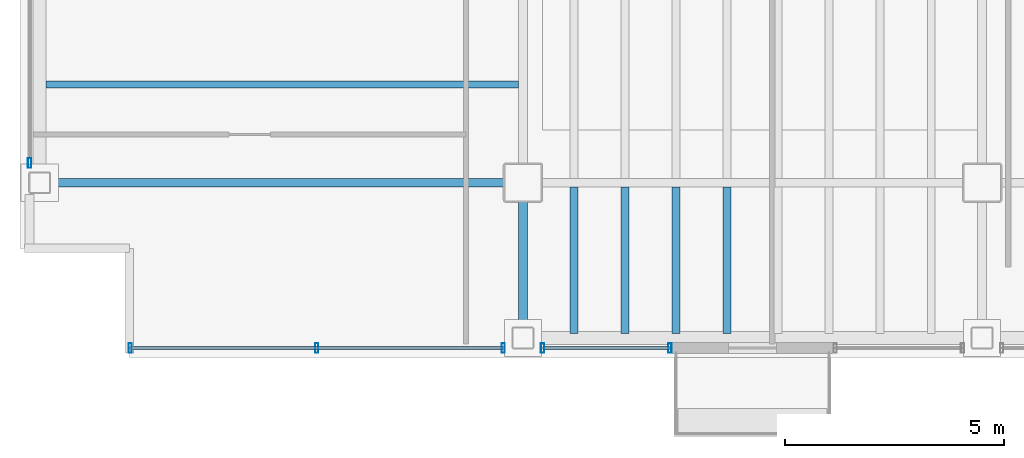
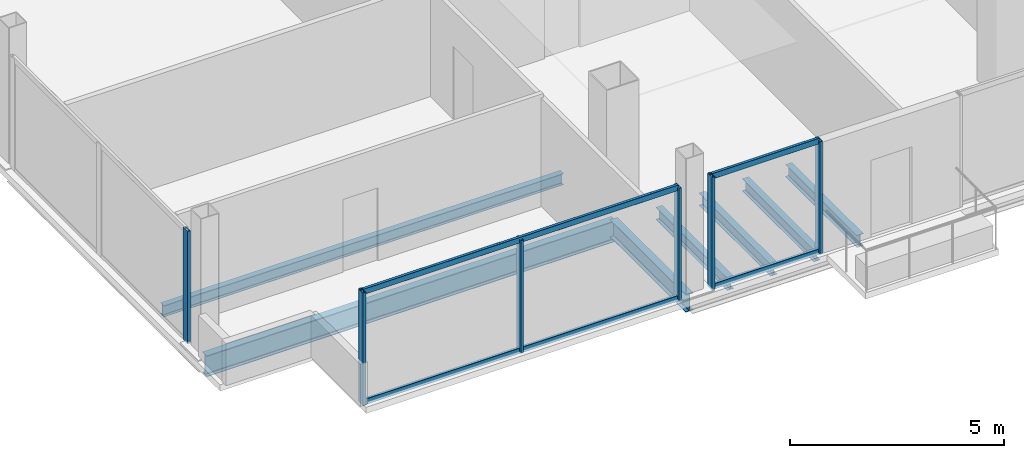
# One storey, part 2 of 18: 10 members, 7 beams, 3 elements without a shape of their own.
"""IFC4 building model written with IfcOpenShell, lengths in metres."""

from ifc_helpers import new_model, si_unit, direction, frame, origin, origin_2d, place, context, subcontext, project, spatial, hollow_rectangle, i_section, extrude, material, material_profile, profile_set, type_object, element, aggregate, save


model = new_model("IFC4")

# Units and contexts
model_context = context("Model", 3, precision=1e-05, world=origin(), true_north=direction((0.0, 1.0)))
body_context = subcontext(model_context, "Body", "Model", "MODEL_VIEW")
ifc_project = project(units=[si_unit("LENGTHUNIT", "METRE"), si_unit("AREAUNIT", "SQUARE_METRE"), si_unit("VOLUMEUNIT", "CUBIC_METRE"), si_unit("PLANEANGLEUNIT", "RADIAN"), si_unit("MASSUNIT", "GRAM", prefix="KILO")], contexts=[model_context])

# Site, building, storey
site_placement = place(None, origin())
site = spatial("IfcSite", under=ifc_project, at=site_placement, CompositionType="ELEMENT")
building_placement = place(site_placement, origin())
building = spatial("IfcBuilding", under=site, at=building_placement, Name="Noeulbin Bourse Tower", CompositionType="ELEMENT")
storey_placement = place(building_placement, frame((0.0, 0.0, 161.699951171875)))
storey = spatial("IfcBuildingStorey", under=building, at=storey_placement, Name="L40", CompositionType="ELEMENT", Elevation=161.699951171875)

# Beams
ifc_material_1 = material(Name="Steel S355", Category="steel")
ifc_material_profile_1 = material_profile(ifc_material_1, i_section(OverallWidth=0.199951171875, OverallDepth=0.5, WebThickness=0.010009765625, FlangeThickness=0.01611328125, FilletRadius=0.02001953125, at=origin_2d()), Name="H-500x200x10x16", Category="LoadBearing")
ifc_profile_set_1 = profile_set([ifc_material_profile_1], Name="Steel S355")
beam_type_1 = type_object("IfcBeamType", Name="BM-GRD-500", PredefinedType="USERDEFINED", material=ifc_profile_set_1)
beam_1_placement = place(storey_placement, frame((13.5, 16.449951171875, -0.429931640625), z_axis=(0.0, 1.0, 0.0), x_axis=(-1.0, 0.0, 0.0)))
element("IfcBeam", 1, at=beam_1_placement, inside=storey, type_object=beam_type_1, Name="Tower Primary Girder NS L40-1.1", ObjectType="GIRDER", PredefinedType="USERDEFINED", context=body_context, shape_type="SweptSolid", body=[
    extrude(i_section(OverallWidth=0.199951171875, OverallDepth=0.5, WebThickness=0.010009765625, FlangeThickness=0.01611328125, FilletRadius=0.02001953125, at=origin_2d()), origin(), (0.0, 0.0, 1.0), 3.550048828125),
])
ifc_material_profile_2 = material_profile(ifc_material_1, i_section(OverallWidth=0.199951171875, OverallDepth=0.60009765625, WebThickness=0.010986328125, FlangeThickness=0.01708984375, FilletRadius=0.02197265625, at=origin_2d()), Name="H-600x200x11x17", Category="LoadBearing")
ifc_profile_set_2 = profile_set([ifc_material_profile_2], Name="Steel S355")
beam_type_2 = type_object("IfcBeamType", Name="BM-GRD-600", PredefinedType="USERDEFINED", material=ifc_profile_set_2)
beam_2_placement = place(storey_placement, frame((2.449951171875, 20.0, -0.47998046875), z_axis=(1.0, 0.0, 0.0), x_axis=(0.0, 1.0, 0.0)))
element("IfcBeam", 2, at=beam_2_placement, inside=storey, type_object=beam_type_2, Name="Tower Primary Girder EW L40-1.1", ObjectType="GIRDER", PredefinedType="USERDEFINED", context=body_context, shape_type="SweptSolid", body=[
    extrude(i_section(OverallWidth=0.199951171875, OverallDepth=0.60009765625, WebThickness=0.010986328125, FlangeThickness=0.01708984375, FilletRadius=0.02197265625, at=origin_2d()), origin(), (0.0, 0.0, 1.0), 11.050048828125),
])
ifc_material_profile_3 = material_profile(ifc_material_1, i_section(OverallWidth=0.159912109375, OverallDepth=0.320068359375, WebThickness=0.006591796875, FlangeThickness=0.010009765625, FilletRadius=0.012939453125, at=origin_2d()), Name="H-320x160x6.5x10", Category="LoadBearing")
ifc_profile_set_3 = profile_set([ifc_material_profile_3], Name="Steel S355")
beam_type_3 = type_object("IfcBeamType", Name="BM-JST-320", PredefinedType="JOIST", material=ifc_profile_set_3)
beam_3_placement = place(storey_placement, frame((2.60009765625, 22.25, -0.33984375), z_axis=(1.0, 0.0, 0.0), x_axis=(0.0, 1.0, 0.0)))
element("IfcBeam", 3, at=beam_3_placement, inside=storey, type_object=beam_type_3, Name="Wing Composite Joist L40-W70", PredefinedType="JOIST", context=body_context, shape_type="SweptSolid", body=[
    extrude(i_section(OverallWidth=0.159912109375, OverallDepth=0.320068359375, WebThickness=0.006591796875, FlangeThickness=0.010009765625, FilletRadius=0.012939453125, at=origin_2d()), origin(), (0.0, 0.0, 1.0), 10.7998046875),
])
ifc_material_profile_4 = material_profile(ifc_material_1, i_section(OverallWidth=0.175048828125, OverallDepth=0.35009765625, WebThickness=0.007080078125, FlangeThickness=0.010986328125, FilletRadius=0.013916015625, at=origin_2d()), Name="H-350x175x7x11", Category="LoadBearing")
ifc_profile_set_4 = profile_set([ifc_material_profile_4], Name="Steel S355")
beam_type_4 = type_object("IfcBeamType", Name="BM-JST-350", PredefinedType="JOIST", material=ifc_profile_set_4)
for number, where, z_axis, x_axis, name in (
    (4, (14.666748046875, 16.550048828125, -0.35498046875), (0.0, 1.0, 0.0), (-1.0, 0.0, 0.0), "Tower Composite Joist L40-01"),
    (5, (15.833251953125, 16.550048828125, -0.35498046875), (0.0, 1.0, 0.0), (-1.0, 0.0, 0.0), "Tower Composite Joist L40-04"),
    (6, (17.0, 16.550048828125, -0.35498046875), (0.0, 1.0, 0.0), (-1.0, 0.0, 0.0), "Tower Composite Joist L40-07"),
    (7, (18.166748046875, 16.550048828125, -0.35498046875), (0.0, 1.0, 0.0), (-1.0, 0.0, 0.0), "Tower Composite Joist L40-10"),
):
    element("IfcBeam", number, at=place(storey_placement, frame(where, z_axis=z_axis, x_axis=x_axis)), inside=storey, type_object=beam_type_4, Name=name, PredefinedType="JOIST", context=body_context, shape_type="SweptSolid", body=[
        extrude(i_section(OverallWidth=0.175048828125, OverallDepth=0.35009765625, WebThickness=0.007080078125, FlangeThickness=0.010986328125, FilletRadius=0.013916015625, at=origin_2d()), origin(), (0.0, 0.0, 1.0), 3.349853515625),
    ])

# Curtain wall, members
ifc_material_2 = material(Name="Dark Tinted Triple Glazing", Category="glass")
curtain_wall_type = type_object("IfcCurtainWallType", Name="CW-SYS-3", PredefinedType="NOTDEFINED", material=ifc_material_2)
curtain_wall_1_placement = place(storey_placement, origin())
curtain_wall_1 = element("IfcCurtainWall", 8, at=curtain_wall_1_placement, inside=storey, type_object=curtain_wall_type, Name="Unitised Curtain Wall CW-L40-S1-S1", PredefinedType="NOTDEFINED")
ifc_material_3 = material(Name="Anodised Aluminium 6063-T6", Category="aluminium")
ifc_material_profile_5 = material_profile(ifc_material_3, hollow_rectangle(XDim=0.074951171875, YDim=0.219970703125, WallThickness=0.0048828125, InnerFilletRadius=0.00244140625, OuterFilletRadius=0.0048828125, at=origin_2d()), Name="ALU-MULL-75x220x5", Category="LoadBearing")
ifc_profile_set_5 = profile_set([ifc_material_profile_5], Name="Anodised Aluminium 6063-T6")
member_type_1 = type_object("IfcMemberType", Name="CW-SYS-3-MUL", PredefinedType="MULLION", material=ifc_profile_set_5)
member_1_placement = place(storey_placement, frame((4.52001953125, 16.219970703125, -0.02001953125), z_axis=(0.0, 0.0, 1.0), x_axis=(1.0, 0.0, 0.0)))
member_1 = element("IfcMember", 9, at=member_1_placement, type_object=member_type_1, Name="Curtain Wall Mullion CW-L40-S1-S1-M00", PredefinedType="MULLION", context=body_context, shape_type="SweptSolid", body=[
    extrude(hollow_rectangle(XDim=0.074951171875, YDim=0.219970703125, WallThickness=0.0048828125, InnerFilletRadius=0.00244140625, OuterFilletRadius=0.0048828125, at=origin_2d()), origin(), (0.0, 0.0, 1.0), 3.219970703125),
])
member_2_placement = place(storey_placement, frame((8.784912109375, 16.219970703125, -0.02001953125), z_axis=(0.0, 0.0, 1.0), x_axis=(1.0, 0.0, 0.0)))
member_2 = element("IfcMember", 10, at=member_2_placement, type_object=member_type_1, Name="Curtain Wall Mullion CW-L40-S1-S1-M01", PredefinedType="MULLION", context=body_context, shape_type="SweptSolid", body=[
    extrude(hollow_rectangle(XDim=0.074951171875, YDim=0.219970703125, WallThickness=0.0048828125, InnerFilletRadius=0.00244140625, OuterFilletRadius=0.0048828125, at=origin_2d()), origin(), (0.0, 0.0, 1.0), 3.219970703125),
])
member_3_placement = place(storey_placement, frame((13.050048828125, 16.219970703125, -0.02001953125), z_axis=(0.0, 0.0, 1.0), x_axis=(1.0, 0.0, 0.0)))
member_3 = element("IfcMember", 11, at=member_3_placement, type_object=member_type_1, Name="Curtain Wall Mullion CW-L40-S1-S1-M02", PredefinedType="MULLION", context=body_context, shape_type="SweptSolid", body=[
    extrude(hollow_rectangle(XDim=0.074951171875, YDim=0.219970703125, WallThickness=0.0048828125, InnerFilletRadius=0.00244140625, OuterFilletRadius=0.0048828125, at=origin_2d()), origin(), (0.0, 0.0, 1.0), 3.219970703125),
])

curtain_wall_2_placement = place(storey_placement, origin())
curtain_wall_2 = element("IfcCurtainWall", 12, at=curtain_wall_2_placement, inside=storey, type_object=curtain_wall_type, Name="Unitised Curtain Wall CW-L40-S1-S2", PredefinedType="NOTDEFINED")
member_4_placement = place(storey_placement, frame((13.949951171875, 16.219970703125, -0.02001953125), z_axis=(0.0, 0.0, 1.0), x_axis=(1.0, 0.0, 0.0)))
member_4 = element("IfcMember", 13, at=member_4_placement, type_object=member_type_1, Name="Curtain Wall Mullion CW-L40-S1-S2-M00", PredefinedType="MULLION", context=body_context, shape_type="SweptSolid", body=[
    extrude(hollow_rectangle(XDim=0.074951171875, YDim=0.219970703125, WallThickness=0.0048828125, InnerFilletRadius=0.00244140625, OuterFilletRadius=0.0048828125, at=origin_2d()), origin(), (0.0, 0.0, 1.0), 3.219970703125),
])
member_5_placement = place(storey_placement, frame((16.860107421875, 16.219970703125, -0.02001953125), z_axis=(0.0, 0.0, 1.0), x_axis=(1.0, 0.0, 0.0)))
member_5 = element("IfcMember", 14, at=member_5_placement, type_object=member_type_1, Name="Curtain Wall Mullion CW-L40-S1-S2-M01", PredefinedType="MULLION", context=body_context, shape_type="SweptSolid", body=[
    extrude(hollow_rectangle(XDim=0.074951171875, YDim=0.219970703125, WallThickness=0.0048828125, InnerFilletRadius=0.00244140625, OuterFilletRadius=0.0048828125, at=origin_2d()), origin(), (0.0, 0.0, 1.0), 3.219970703125),
])

# Curtain wall, member
curtain_wall_3_placement = place(storey_placement, origin())
curtain_wall_3 = element("IfcCurtainWall", 15, at=curtain_wall_3_placement, inside=storey, type_object=curtain_wall_type, Name="Unitised Curtain Wall CW-L40-W-S1", PredefinedType="NOTDEFINED")
member_6_placement = place(storey_placement, frame((2.219970703125, 20.449951171875, -0.02001953125), z_axis=(0.0, 0.0, 1.0), x_axis=(1.0, 0.0, 0.0)))
member_6 = element("IfcMember", 16, at=member_6_placement, type_object=member_type_1, Name="Curtain Wall Mullion CW-L40-W-S1-M00", PredefinedType="MULLION", context=body_context, shape_type="SweptSolid", body=[
    extrude(hollow_rectangle(XDim=0.074951171875, YDim=0.219970703125, WallThickness=0.0048828125, InnerFilletRadius=0.00244140625, OuterFilletRadius=0.0048828125, at=origin_2d()), origin(), (0.0, 0.0, 1.0), 3.219970703125),
])
aggregate(curtain_wall_3, [member_6])

# Member
ifc_material_profile_6 = material_profile(ifc_material_3, hollow_rectangle(XDim=0.074951171875, YDim=0.159912109375, WallThickness=0.0048828125, InnerFilletRadius=0.00244140625, OuterFilletRadius=0.0048828125, at=origin_2d()), Name="ALU-TRAN-75x160x5", Category="LoadBearing")
ifc_profile_set_6 = profile_set([ifc_material_profile_6], Name="Anodised Aluminium 6063-T6")
member_type_2 = type_object("IfcMemberType", Name="CW-SYS-3-TRN", PredefinedType="USERDEFINED", material=ifc_profile_set_6)
member_7_placement = place(storey_placement, frame((4.530029296875, 16.219970703125, 0.010009765625), z_axis=(1.0, 0.0, 0.0), x_axis=(0.0, 1.0, 0.0)))
member_7 = element("IfcMember", 17, at=member_7_placement, type_object=member_type_2, Name="Curtain Wall Transom CW-L40-S1-S1-T00", ObjectType="TRANSOM", PredefinedType="USERDEFINED", context=body_context, shape_type="SweptSolid", body=[
    extrude(hollow_rectangle(XDim=0.074951171875, YDim=0.159912109375, WallThickness=0.0048828125, InnerFilletRadius=0.00244140625, OuterFilletRadius=0.0048828125, at=origin_2d()), origin(), (0.0, 0.0, 1.0), 8.510009765625),
])

member_8_placement = place(storey_placement, frame((4.530029296875, 16.219970703125, 3.170166015625), z_axis=(1.0, 0.0, 0.0), x_axis=(0.0, 1.0, 0.0)))
member_8 = element("IfcMember", 18, at=member_8_placement, type_object=member_type_2, Name="Curtain Wall Transom CW-L40-S1-S1-T01", ObjectType="TRANSOM", PredefinedType="USERDEFINED", context=body_context, shape_type="SweptSolid", body=[
    extrude(hollow_rectangle(XDim=0.074951171875, YDim=0.159912109375, WallThickness=0.0048828125, InnerFilletRadius=0.00244140625, OuterFilletRadius=0.0048828125, at=origin_2d()), origin(), (0.0, 0.0, 1.0), 8.510009765625),
])

aggregate(curtain_wall_1, [member_1, member_2, member_3, member_7, member_8])

member_9_placement = place(storey_placement, frame((13.9599609375, 16.219970703125, 0.010009765625), z_axis=(1.0, 0.0, 0.0), x_axis=(0.0, 1.0, 0.0)))
member_9 = element("IfcMember", 19, at=member_9_placement, type_object=member_type_2, Name="Curtain Wall Transom CW-L40-S1-S2-T00", ObjectType="TRANSOM", PredefinedType="USERDEFINED", context=body_context, shape_type="SweptSolid", body=[
    extrude(hollow_rectangle(XDim=0.074951171875, YDim=0.159912109375, WallThickness=0.0048828125, InnerFilletRadius=0.00244140625, OuterFilletRadius=0.0048828125, at=origin_2d()), origin(), (0.0, 0.0, 1.0), 2.89013671875),
])

member_10_placement = place(storey_placement, frame((13.9599609375, 16.219970703125, 3.170166015625), z_axis=(1.0, 0.0, 0.0), x_axis=(0.0, 1.0, 0.0)))
member_10 = element("IfcMember", 20, at=member_10_placement, type_object=member_type_2, Name="Curtain Wall Transom CW-L40-S1-S2-T01", ObjectType="TRANSOM", PredefinedType="USERDEFINED", context=body_context, shape_type="SweptSolid", body=[
    extrude(hollow_rectangle(XDim=0.074951171875, YDim=0.159912109375, WallThickness=0.0048828125, InnerFilletRadius=0.00244140625, OuterFilletRadius=0.0048828125, at=origin_2d()), origin(), (0.0, 0.0, 1.0), 2.89013671875),
])

aggregate(curtain_wall_2, [member_4, member_5, member_9, member_10])

save(model, "model.ifc")
